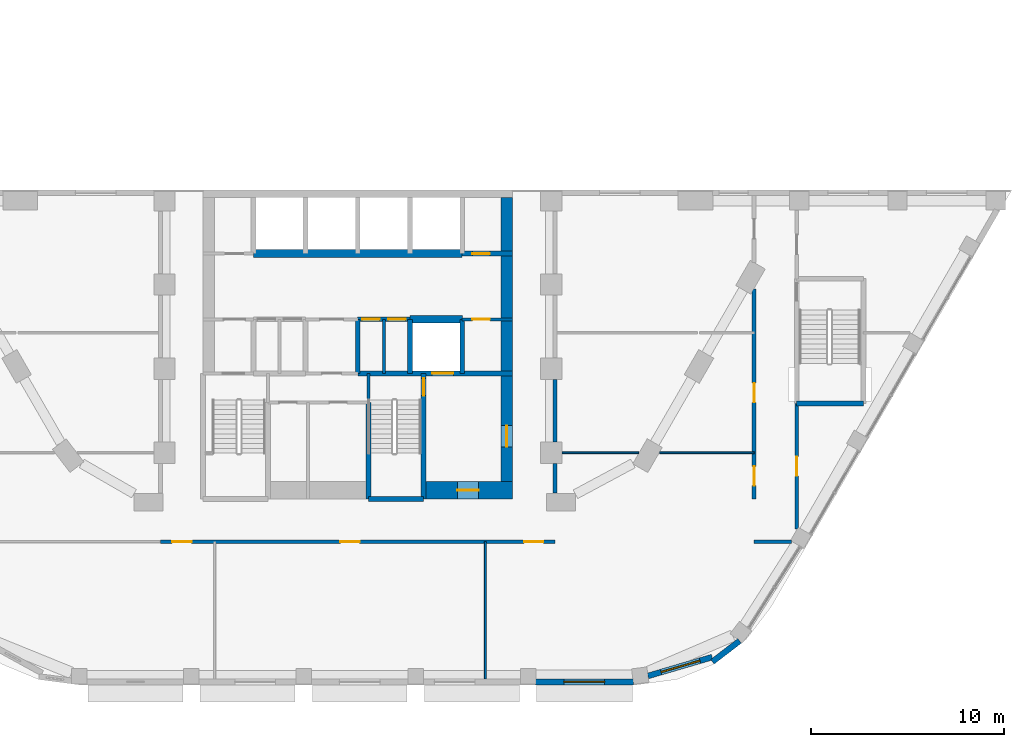
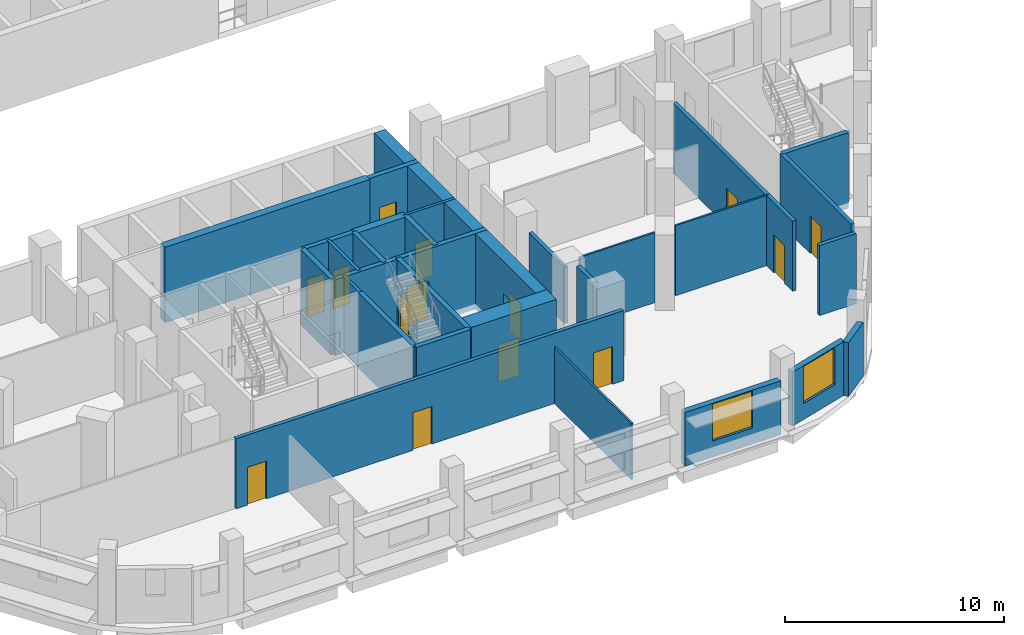
# One storey, part 15 of 45: 29 walls, 14 doors, 2 windows, 16 openings.
"""IFC4 building model written with IfcOpenShell, lengths in metres."""

import ifcopenshell
import ifcopenshell.guid

model = None  # the IFC model being written
_history = None  # IfcOwnerHistory: only IFC2X3 demands one
_inside = {}  # id of a spatial element -> (the spatial element, [elements in it])
_under = {}  # id of a project, library or spatial element -> (it, [spatial elements below it])
_declared = {}  # id of a project -> (the project, [libraries it declares])
_typed = {}  # id of a type object -> (the type object, [elements of that type])
_made_of = {}  # id of a material, layer set ... -> (it, [elements and type objects made of it])


def new_model(schema):
    """Start an empty IFC model of exactly this schema.

    Asked for "IFC4X3", IfcOpenShell would pick the latest addendum, in which some entities
    have other attributes; the version numbers below select the first issue.
    IFC2X3 requires an IfcOwnerHistory on every rooted entity: one is made here for all.
    """
    global model, _history
    if schema == "IFC4X3":
        model = ifcopenshell.file(schema_version=(4, 3, 0, 0))
    else:
        model = ifcopenshell.file(schema=schema)
    _inside.clear()
    _under.clear()
    _declared.clear()
    _typed.clear()
    _made_of.clear()
    _history = None
    if model.schema == "IFC2X3":
        org = make("IfcOrganization", Name="unknown")
        user = make(
            "IfcPersonAndOrganization",
            ThePerson=make("IfcPerson", FamilyName="unknown"),
            TheOrganization=org,
        )
        app = make(
            "IfcApplication",
            ApplicationDeveloper=org,
            Version="unknown",
            ApplicationFullName="unknown",
            ApplicationIdentifier="unknown",
        )
        _history = make(
            "IfcOwnerHistory",
            OwningUser=user,
            OwningApplication=app,
            ChangeAction="ADDED",
            CreationDate=0,
        )
    return model


def make(cls, **values):
    """One entity of the class cls with the attributes given. An attribute that is None is left unset."""
    return model.create_entity(
        cls, **{name: value for name, value in values.items() if value is not None}
    )


def rooted(cls, **values):
    """An entity with a GlobalId (a new one), such as an element, a storey or a relation."""
    return make(cls, GlobalId=ifcopenshell.guid.new(), OwnerHistory=_history, **values)


def si_unit(unit_type, name, prefix=None):
    """IfcSIUnit, for example si_unit("LENGTHUNIT", "METRE", prefix="MILLI")."""
    return make("IfcSIUnit", UnitType=unit_type, Prefix=prefix, Name=name)


def assignment(units):
    """IfcUnitAssignment: the units of a project."""
    return None if units is None else make("IfcUnitAssignment", Units=units)


def point(xyz):
    """IfcCartesianPoint."""
    return None if xyz is None else make("IfcCartesianPoint", Coordinates=xyz)


def direction(xyz):
    """IfcDirection."""
    return None if xyz is None else make("IfcDirection", DirectionRatios=xyz)


def frame(location, z_axis=None, x_axis=None):
    """IfcAxis2Placement3D, a coordinate frame: its origin and axes. An axis left out is left unset."""
    return make(
        "IfcAxis2Placement3D",
        Location=point(location),
        Axis=direction(z_axis),
        RefDirection=direction(x_axis),
    )


def frame_2d(location, x_axis=None):
    """IfcAxis2Placement2D, a coordinate frame in the plane: its origin and x axis."""
    return make(
        "IfcAxis2Placement2D", Location=point(location), RefDirection=direction(x_axis)
    )


def origin():
    """The frame at (0, 0, 0) with its axes left unset."""
    return frame((0.0, 0.0, 0.0))


def place(relative_to, where):
    """IfcLocalPlacement: puts the frame where relative to a parent placement (None: the world)."""
    return make(
        "IfcLocalPlacement", PlacementRelTo=relative_to, RelativePlacement=where
    )


def context(
    kind, dimensions, precision=None, world=None, true_north=None, identifier=None
):
    """IfcGeometricRepresentationContext, for example the 3D "Model" context."""
    return make(
        "IfcGeometricRepresentationContext",
        ContextIdentifier=identifier,
        ContextType=kind,
        CoordinateSpaceDimension=dimensions,
        Precision=precision,
        WorldCoordinateSystem=world,
        TrueNorth=true_north,
    )


def subcontext(parent, identifier, kind, view, scale=None):
    """IfcGeometricRepresentationSubContext, for example "Body" below "Model"."""
    return make(
        "IfcGeometricRepresentationSubContext",
        ContextIdentifier=identifier,
        ContextType=kind,
        ParentContext=parent,
        TargetScale=scale,
        TargetView=view,
    )


def project(units=None, contexts=None):
    """IfcProject with its units and contexts."""
    return rooted(
        "IfcProject",
        Name="project",
        RepresentationContexts=contexts,
        UnitsInContext=assignment(units),
    )


def spatial(cls, under=None, at=None, **own):
    """A site, building, storey or space (cls), placed at a placement, below another one or the project."""
    s = rooted(cls, ObjectPlacement=at, **own)
    if under is not None:
        _under.setdefault(under.id(), (under, []))[1].append(s)
    return s


def profile(cls, at=None, kind="AREA", **sizes):
    """A parametric profile (cls). Its sizes go by their IFC names, for example OverallWidth=200.0."""
    return make(cls, ProfileType=kind, Position=at, **sizes)


def rectangle(**sizes):
    """IfcRectangleProfileDef."""
    return profile("IfcRectangleProfileDef", **sizes)


def extrude(swept, where, along, depth):
    """IfcExtrudedAreaSolid: the profile swept, set in the frame where, extruded along a direction by depth."""
    return make(
        "IfcExtrudedAreaSolid",
        SweptArea=swept,
        Position=where,
        ExtrudedDirection=direction(along),
        Depth=depth,
    )


def shape(context_of_items, identifier, shape_type, items):
    """IfcShapeRepresentation: the items that make up one representation, for example the "Body"."""
    return make(
        "IfcShapeRepresentation",
        ContextOfItems=context_of_items,
        RepresentationIdentifier=identifier,
        RepresentationType=shape_type,
        Items=items,
    )


def material(Name=None, Category=None):
    """IfcMaterial."""
    return make("IfcMaterial", Name=Name, Category=Category)


def layer(
    of_material, thickness, ventilated=None, Name=None, Category=None, Priority=None
):
    """IfcMaterialLayer: one layer of a wall or slab, of a material (None: an air gap)."""
    return make(
        "IfcMaterialLayer",
        Material=of_material,
        LayerThickness=thickness,
        IsVentilated=ventilated,
        Name=Name,
        Category=Category,
        Priority=Priority,
    )


def layer_set(layers, Name=None):
    """IfcMaterialLayerSet."""
    return make("IfcMaterialLayerSet", MaterialLayers=layers, LayerSetName=Name)


def made_of(thing, what):
    """Note that an element or type object is made of a material, layer set ...; save() writes the relation."""
    if what is not None:
        _made_of.setdefault(what.id(), (what, []))[1].append(thing)
    return thing


def type_object(cls, material=None, **own):
    """A type object (cls), such as IfcWallType, which elements share."""
    return made_of(rooted(cls, **own), material)


def element(
    cls,
    number,
    at=None,
    inside=None,
    cuts=None,
    type_object=None,
    material=None,
    context=None,
    identifier="Body",
    shape_type=None,
    held_by="IfcProductDefinitionShape",
    body=None,
    shapes=None,
    **own,
):
    """One element of the class cls, such as IfcWall. Its Tag is "e" and its number.

    at: its placement. inside: the storey or other place that contains it. cuts: it is an
    opening in that element (IfcRelVoidsElement). A single representation is given by context,
    identifier, shape_type and body (its items); several are given by shapes. held_by: the class
    of the entity that holds the representations. save() writes the other relations.
    """
    e = rooted(cls, Tag="e%d" % number, ObjectPlacement=at, **own)
    if body is not None:
        shapes = [shape(context, identifier, shape_type, body)]
    if shapes is not None:
        e.Representation = make(held_by, Representations=shapes)
    if inside is not None:
        _inside.setdefault(inside.id(), (inside, []))[1].append(e)
    if cuts is not None:
        rooted(
            "IfcRelVoidsElement", RelatingBuildingElement=cuts, RelatedOpeningElement=e
        )
    if type_object is not None:
        _typed.setdefault(type_object.id(), (type_object, []))[1].append(e)
    return made_of(e, material)


def fill(opening, filler):
    """IfcRelFillsElement: the door or window that sits in an opening."""
    return rooted(
        "IfcRelFillsElement",
        RelatingOpeningElement=opening,
        RelatedBuildingElement=filler,
    )


def aggregate(whole, parts):
    """IfcRelAggregates: a whole, such as a stair, and the parts it consists of."""
    return rooted("IfcRelAggregates", RelatingObject=whole, RelatedObjects=parts)


def save(model, path):
    """Write the relations noted so far, then the file.

    IfcRelAggregates (storeys below a building ...), IfcRelContainedInSpatialStructure (elements
    in a storey), IfcRelDefinesByType, IfcRelAssociatesMaterial and IfcRelDeclares: one each for
    every whole, place, type object, material and project.
    """
    for whole, parts in _under.values():
        aggregate(whole, parts)
    for where, things in _inside.values():
        rooted(
            "IfcRelContainedInSpatialStructure",
            RelatedElements=things,
            RelatingStructure=where,
        )
    for kind, things in _typed.values():
        rooted("IfcRelDefinesByType", RelatedObjects=things, RelatingType=kind)
    for what, things in _made_of.values():
        rooted("IfcRelAssociatesMaterial", RelatedObjects=things, RelatingMaterial=what)
    for by, libraries in _declared.values():
        rooted("IfcRelDeclares", RelatingContext=by, RelatedDefinitions=libraries)
    model.write(path)


model = new_model("IFC4")

# Units and contexts
model_context = context("Model", 3, precision=1e-05, world=origin(), true_north=direction((0.0, 1.0)))
body_context = subcontext(model_context, "Body", "Model", "MODEL_VIEW")
ifc_project = project(units=[si_unit("LENGTHUNIT", "METRE"), si_unit("AREAUNIT", "SQUARE_METRE"), si_unit("VOLUMEUNIT", "CUBIC_METRE"), si_unit("PLANEANGLEUNIT", "RADIAN"), si_unit("MASSUNIT", "GRAM", prefix="KILO")], contexts=[model_context])

# Site, building, storey
site_placement = place(None, origin())
site = spatial("IfcSite", under=ifc_project, at=site_placement, CompositionType="ELEMENT")
building_placement = place(site_placement, origin())
building = spatial("IfcBuilding", under=site, at=building_placement, Name="Nakaniwa Court", CompositionType="ELEMENT")
storey_placement = place(building_placement, frame((0.0, 0.0, 11.39990234375)))
storey = spatial("IfcBuildingStorey", under=building, at=storey_placement, Name="L02", CompositionType="ELEMENT", Elevation=11.39990234375)

# Wall, opening, door
ifc_material_1 = material(Name="Acoustic double stud partition")
ifc_layer_1 = layer(ifc_material_1, 0.199951171875)
ifc_layer_set_1 = layer_set([ifc_layer_1], Name="Acoustic double stud partition")
wall_type_1 = type_object("IfcWallType", Name="Acoustic double stud partition 200", PredefinedType="PARTITIONING", material=ifc_layer_set_1)
wall_1_placement = place(storey_placement, frame((102.699951171875, 61.552978515625, 0.0), z_axis=(0.0, 0.0, 1.0), x_axis=(0.0, -1.0, 0.0)))
wall_1 = element("IfcWall", 1, at=wall_1_placement, inside=storey, type_object=wall_type_1, Name="Partition PW-081", PredefinedType="PARTITIONING", context=body_context, shape_type="SweptSolid", body=[
    extrude(rectangle(XDim=6.49853515625, YDim=0.199951171875, at=frame_2d((3.249267578125, 0.0))), origin(), (0.0, 0.0, 1.0), 3.900146484375),
])
opening_1_placement = place(wall_1_placement, frame((2.75, 0.0, 0.0)))
opening_1 = element("IfcOpeningElement", 2, at=opening_1_placement, cuts=wall_1, Name="Opening D-02-10", PredefinedType="OPENING", context=body_context, shape_type="SweptSolid", body=[
    extrude(rectangle(XDim=1.0, YDim=2.10009765625, at=frame_2d((0.5, 1.050048828125))), frame((0.0, 0.10986328125, 0.0), z_axis=(0.0, -1.0, 0.0), x_axis=(1.0, 0.0, 0.0)), (0.0, 0.0, 1.0), 0.219970703125),
])
ifc_material_2 = material(Name="Solid core timber door set, black veneer", Category="wood")
door_type_1 = type_object("IfcDoorType", Name="Internal door 1000", OperationType="NOTDEFINED", PredefinedType="DOOR", material=ifc_material_2)
door_1_placement = place(opening_1_placement, origin())
door_1 = element("IfcDoor", 3, at=door_1_placement, inside=storey, type_object=door_type_1, Name="Door D-02-10 L02-043", OperationType="SINGLE_SWING_RIGHT", OverallHeight=2.10009765625, OverallWidth=1.0, PredefinedType="DOOR", context=body_context, shape_type="SweptSolid", body=[
    extrude(rectangle(XDim=1.0, YDim=2.10009765625, at=frame_2d((0.5, 1.050048828125))), frame((0.0, 0.02490234375, 0.0), z_axis=(0.0, -1.0, 0.0), x_axis=(1.0, 0.0, 0.0)), (0.0, 0.0, 1.0), 0.050048828125),
])
fill(opening_1, door_1)

# Wall, openings, doors
wall_2_placement = place(storey_placement, frame((100.5, 56.596923828125, 0.0), z_axis=(0.0, 0.0, 1.0), x_axis=(0.0, 1.0, 0.0)))
wall_2 = element("IfcWall", 4, at=wall_2_placement, inside=storey, type_object=wall_type_1, Name="Partition PW-085", PredefinedType="PARTITIONING", context=body_context, shape_type="SweptSolid", body=[
    extrude(rectangle(XDim=10.873291015625, YDim=0.199951171875, at=frame_2d((5.4365234375, 0.0))), origin(), (0.0, 0.0, 1.0), 3.900146484375),
])
opening_2_placement = place(wall_2_placement, frame((5.0029296875, 0.0, 0.0)))
opening_2 = element("IfcOpeningElement", 5, at=opening_2_placement, cuts=wall_2, Name="Opening D-02-14", PredefinedType="OPENING", context=body_context, shape_type="SweptSolid", body=[
    extrude(rectangle(XDim=1.0, YDim=2.10009765625, at=frame_2d((0.5, 1.050048828125))), frame((0.0, 0.10986328125, 0.0), z_axis=(0.0, -1.0, 0.0), x_axis=(1.0, 0.0, 0.0)), (0.0, 0.0, 1.0), 0.219970703125),
])
opening_3_placement = place(wall_2_placement, frame((0.702880859375, 0.0, 0.0)))
opening_3 = element("IfcOpeningElement", 6, at=opening_3_placement, cuts=wall_2, Name="Opening D-02-15", PredefinedType="OPENING", context=body_context, shape_type="SweptSolid", body=[
    extrude(rectangle(XDim=1.0, YDim=2.10009765625, at=frame_2d((0.5, 1.050048828125))), frame((0.0, 0.10986328125, 0.0), z_axis=(0.0, -1.0, 0.0), x_axis=(1.0, 0.0, 0.0)), (0.0, 0.0, 1.0), 0.219970703125),
])
door_2_placement = place(opening_2_placement, origin())
door_2 = element("IfcDoor", 7, at=door_2_placement, inside=storey, type_object=door_type_1, Name="Door D-02-14 L02-047", OperationType="SINGLE_SWING_RIGHT", OverallHeight=2.10009765625, OverallWidth=1.0, PredefinedType="DOOR", context=body_context, shape_type="SweptSolid", body=[
    extrude(rectangle(XDim=1.0, YDim=2.10009765625, at=frame_2d((0.5, 1.050048828125))), frame((0.0, 0.02490234375, 0.0), z_axis=(0.0, -1.0, 0.0), x_axis=(1.0, 0.0, 0.0)), (0.0, 0.0, 1.0), 0.050048828125),
])
fill(opening_2, door_2)
door_3_placement = place(opening_3_placement, origin())
door_3 = element("IfcDoor", 8, at=door_3_placement, inside=storey, type_object=door_type_1, Name="Door D-02-15 L02-048", OperationType="SINGLE_SWING_LEFT", OverallHeight=2.10009765625, OverallWidth=1.0, PredefinedType="DOOR", context=body_context, shape_type="SweptSolid", body=[
    extrude(rectangle(XDim=1.0, YDim=2.10009765625, at=frame_2d((0.5, 1.050048828125))), frame((0.0, 0.02490234375, 0.0), z_axis=(0.0, -1.0, 0.0), x_axis=(1.0, 0.0, 0.0)), (0.0, 0.0, 1.0), 0.050048828125),
])
fill(opening_3, door_3)

# Walls
wall_3_placement = place(storey_placement, frame((90.199951171875, 56.9169921875, 0.0), z_axis=(0.0, 0.0, 1.0), x_axis=(0.0, 1.0, 0.0)))
element("IfcWall", 9, at=wall_3_placement, inside=storey, type_object=wall_type_1, Name="Partition PW-102", PredefinedType="PARTITIONING", context=body_context, shape_type="SweptSolid", body=[
    extrude(rectangle(XDim=1.51611328125, YDim=0.199951171875, at=frame_2d((0.758056640625, 0.0))), origin(), (0.0, 0.0, 1.0), 3.900146484375),
])
wall_4_placement = place(storey_placement, frame((90.199951171875, 59.56689453125, 0.0), z_axis=(0.0, 0.0, 1.0), x_axis=(0.0, 1.0, 0.0)))
element("IfcWall", 10, at=wall_4_placement, inside=storey, type_object=wall_type_1, Name="Partition PW-103", PredefinedType="PARTITIONING", context=body_context, shape_type="SweptSolid", body=[
    extrude(rectangle(XDim=3.216064453125, YDim=0.199951171875, at=frame_2d((1.60791015625, 0.0))), origin(), (0.0, 0.0, 1.0), 3.130126953125),
])

# Wall, openings, doors
wall_5_placement = place(storey_placement, frame((90.199951171875, 54.39990234375, 0.0), z_axis=(0.0, 0.0, 1.0), x_axis=(-1.0, 0.0, 0.0)))
wall_5 = element("IfcWall", 11, at=wall_5_placement, inside=storey, type_object=wall_type_1, Name="Partition PW-133", PredefinedType="PARTITIONING", context=body_context, shape_type="SweptSolid", body=[
    extrude(rectangle(XDim=20.39990234375, YDim=0.199951171875, at=frame_2d((10.199951171875, 0.0))), origin(), (0.0, 0.0, 1.0), 3.900146484375),
])
opening_4_placement = place(wall_5_placement, frame((18.800048828125, 0.0, 0.0)))
opening_4 = element("IfcOpeningElement", 12, at=opening_4_placement, cuts=wall_5, Name="Opening D-02-19", PredefinedType="OPENING", context=body_context, shape_type="SweptSolid", body=[
    extrude(rectangle(XDim=1.0, YDim=2.10009765625, at=frame_2d((0.5, 1.050048828125))), frame((0.0, 0.10986328125, 0.0), z_axis=(0.0, -1.0, 0.0), x_axis=(1.0, 0.0, 0.0)), (0.0, 0.0, 1.0), 0.219970703125),
])
opening_5_placement = place(wall_5_placement, frame((0.60009765625, 0.0, 0.0)))
opening_5 = element("IfcOpeningElement", 13, at=opening_5_placement, cuts=wall_5, Name="Opening D-02-20", PredefinedType="OPENING", context=body_context, shape_type="SweptSolid", body=[
    extrude(rectangle(XDim=1.0, YDim=2.10009765625, at=frame_2d((0.5, 1.050048828125))), frame((0.0, 0.10986328125, 0.0), z_axis=(0.0, -1.0, 0.0), x_axis=(1.0, 0.0, 0.0)), (0.0, 0.0, 1.0), 0.219970703125),
])
opening_6_placement = place(wall_5_placement, frame((10.10009765625, 0.0, 0.0)))
opening_6 = element("IfcOpeningElement", 14, at=opening_6_placement, cuts=wall_5, Name="Opening D-02-21", PredefinedType="OPENING", context=body_context, shape_type="SweptSolid", body=[
    extrude(rectangle(XDim=1.0, YDim=2.10009765625, at=frame_2d((0.5, 1.050048828125))), frame((0.0, 0.10986328125, 0.0), z_axis=(0.0, -1.0, 0.0), x_axis=(1.0, 0.0, 0.0)), (0.0, 0.0, 1.0), 0.219970703125),
])
door_4_placement = place(opening_4_placement, origin())
door_4 = element("IfcDoor", 15, at=door_4_placement, inside=storey, type_object=door_type_1, Name="Door D-02-19 L02-052", OperationType="SINGLE_SWING_LEFT", OverallHeight=2.10009765625, OverallWidth=1.0, PredefinedType="DOOR", context=body_context, shape_type="SweptSolid", body=[
    extrude(rectangle(XDim=1.0, YDim=2.10009765625, at=frame_2d((0.5, 1.050048828125))), frame((0.0, 0.02490234375, 0.0), z_axis=(0.0, -1.0, 0.0), x_axis=(1.0, 0.0, 0.0)), (0.0, 0.0, 1.0), 0.050048828125),
])
fill(opening_4, door_4)
door_5_placement = place(opening_5_placement, origin())
door_5 = element("IfcDoor", 16, at=door_5_placement, inside=storey, type_object=door_type_1, Name="Door D-02-20 L02-053", OperationType="SINGLE_SWING_RIGHT", OverallHeight=2.10009765625, OverallWidth=1.0, PredefinedType="DOOR", context=body_context, shape_type="SweptSolid", body=[
    extrude(rectangle(XDim=1.0, YDim=2.10009765625, at=frame_2d((0.5, 1.050048828125))), frame((0.0, 0.02490234375, 0.0), z_axis=(0.0, -1.0, 0.0), x_axis=(1.0, 0.0, 0.0)), (0.0, 0.0, 1.0), 0.050048828125),
])
fill(opening_5, door_5)
door_6_placement = place(opening_6_placement, origin())
door_6 = element("IfcDoor", 17, at=door_6_placement, inside=storey, type_object=door_type_1, Name="Door D-02-21 L02-054", OperationType="SINGLE_SWING_LEFT", OverallHeight=2.10009765625, OverallWidth=1.0, PredefinedType="DOOR", context=body_context, shape_type="SweptSolid", body=[
    extrude(rectangle(XDim=1.0, YDim=2.10009765625, at=frame_2d((0.5, 1.050048828125))), frame((0.0, 0.02490234375, 0.0), z_axis=(0.0, -1.0, 0.0), x_axis=(1.0, 0.0, 0.0)), (0.0, 0.0, 1.0), 0.050048828125),
])
fill(opening_6, door_6)

# Wall
wall_6_placement = place(storey_placement, frame((100.5, 54.39990234375, 0.0), z_axis=(0.0, 0.0, 1.0), x_axis=(1.0, 0.0, 0.0)))
element("IfcWall", 18, at=wall_6_placement, inside=storey, type_object=wall_type_1, Name="Partition PW-134", PredefinedType="PARTITIONING", context=body_context, shape_type="SweptSolid", body=[
    extrude(rectangle(XDim=1.93408203125, YDim=0.199951171875, at=frame_2d((0.967041015625, 0.0))), origin(), (0.0, 0.0, 1.0), 3.900146484375),
])

# Wall, opening, window
ifc_material_3 = material(Name="Charcoal ceramic cladding")
ifc_layer_2 = layer(ifc_material_3, 0.02, Name="Ceramic cladding")
ifc_material_4 = material(Name="Ventilated air cavity")
ifc_layer_3 = layer(ifc_material_4, 0.04, ventilated=True, Name="Ventilated cavity")
ifc_material_5 = material(Name="Mineral wool insulation")
ifc_layer_4 = layer(ifc_material_5, 0.1, Name="Insulation")
ifc_material_6 = material(Name="Cement bonded sheathing board")
ifc_layer_5 = layer(ifc_material_6, 0.012, Name="Sheathing")
ifc_material_7 = material(Name="Cold-formed galvanised stud frame with mineral wool infill")
ifc_layer_6 = layer(ifc_material_7, 0.1, Name="Stud frame")
ifc_material_8 = material(Name="Fire-rated gypsum plasterboard lining")
ifc_layer_7 = layer(ifc_material_8, 0.028, Name="Lining")
ifc_layer_set_2 = layer_set([ifc_layer_2, ifc_layer_3, ifc_layer_4, ifc_layer_5, ifc_layer_6, ifc_layer_7], Name="Charcoal ceramic faced external wall system")
wall_type_2 = type_object("IfcWallType", Name="Black ceramic faced external wall 300", PredefinedType="SOLIDWALL", material=ifc_layer_set_2)
wall_7_placement = place(storey_placement, frame((89.20068359375, 47.14990234375, 0.0), z_axis=(0.0, 0.0, 1.0), x_axis=(1.0, 0.0, 0.0)))
wall_7 = element("IfcWall", 19, at=wall_7_placement, inside=storey, type_object=wall_type_2, Name="L02 external wall 23", PredefinedType="SOLIDWALL", context=body_context, shape_type="SweptSolid", body=[
    extrude(rectangle(XDim=5.048095703125, YDim=0.300048828125, at=frame_2d((2.52392578125, 0.0))), origin(), (0.0, 0.0, 1.0), 3.0),
])
opening_7_placement = place(wall_7_placement, frame((1.462646484375, 0.0, 0.89990234375)))
opening_7 = element("IfcOpeningElement", 20, at=opening_7_placement, cuts=wall_7, Name="Opening W2.20", PredefinedType="OPENING", context=body_context, shape_type="SweptSolid", body=[
    extrude(rectangle(XDim=2.10009765625, YDim=2.050048828125, at=frame_2d((1.050048828125, 1.02490234375))), frame((0.0, 0.159912109375, 0.0), z_axis=(0.0, -1.0, 0.0), x_axis=(1.0, 0.0, 0.0)), (0.0, 0.0, 1.0), 0.320068359375),
])
ifc_material_9 = material(Name="Black anodised aluminium frame with dark low-E laminated double glazing", Category="aluminium")
window_type = type_object("IfcWindowType", Name="Dark glass window 2100x2050 sill 900", PartitioningType="SINGLE_PANEL", PredefinedType="WINDOW", material=ifc_material_9)
window_1_placement = place(opening_7_placement, origin())
window_1 = element("IfcWindow", 21, at=window_1_placement, inside=storey, type_object=window_type, Name="L02 habitable room window 23-0", OverallHeight=2.050048828125, OverallWidth=2.10009765625, PartitioningType="SINGLE_PANEL", PredefinedType="WINDOW", context=body_context, shape_type="SweptSolid", body=[
    extrude(rectangle(XDim=2.10009765625, YDim=2.050048828125, at=frame_2d((1.050048828125, 1.02490234375))), frame((0.0, 0.030029296875, 0.0), z_axis=(0.0, -1.0, 0.0), x_axis=(1.0, 0.0, 0.0)), (0.0, 0.0, 1.0), 0.06005859375),
])
fill(opening_7, window_1)

wall_8_placement = place(storey_placement, frame((95.00732421875, 47.45654296875, 0.0), z_axis=(0.0, 0.0, 1.0), x_axis=(0.959578633815, 0.281440660756, 0.0)))
wall_8 = element("IfcWall", 22, at=wall_8_placement, inside=storey, type_object=wall_type_2, Name="L02 external wall 24", PredefinedType="SOLIDWALL", context=body_context, shape_type="SweptSolid", body=[
    extrude(rectangle(XDim=3.461181640625, YDim=0.300048828125, at=frame_2d((1.73046875, 0.0))), origin(), (0.0, 0.0, 1.0), 3.0),
])
opening_8_placement = place(wall_8_placement, frame((0.705810546875, 0.0, 0.89990234375)))
opening_8 = element("IfcOpeningElement", 23, at=opening_8_placement, cuts=wall_8, Name="Opening W2.21", PredefinedType="OPENING", context=body_context, shape_type="SweptSolid", body=[
    extrude(rectangle(XDim=2.10009765625, YDim=2.050048828125, at=frame_2d((1.050048828125, 1.02490234375))), frame((0.0, 0.159912109375, 0.0), z_axis=(0.0, -1.0, 0.0), x_axis=(1.0, 0.0, 0.0)), (0.0, 0.0, 1.0), 0.320068359375),
])
window_2_placement = place(opening_8_placement, origin())
window_2 = element("IfcWindow", 24, at=window_2_placement, inside=storey, type_object=window_type, Name="L02 habitable room window 24-0", OverallHeight=2.050048828125, OverallWidth=2.10009765625, PartitioningType="SINGLE_PANEL", PredefinedType="WINDOW", context=body_context, shape_type="SweptSolid", body=[
    extrude(rectangle(XDim=2.10009765625, YDim=2.050048828125, at=frame_2d((1.050048828125, 1.02490234375))), frame((0.0, 0.030029296875, 0.0), z_axis=(0.0, -1.0, 0.0), x_axis=(1.0, 0.0, 0.0)), (0.0, 0.0, 1.0), 0.06005859375),
])
fill(opening_8, window_2)

# Wall
wall_9_placement = place(storey_placement, frame((98.342529296875, 48.19091796875, 0.0), z_axis=(0.0, 0.0, 1.0), x_axis=(0.793403972369, 0.608695438318, 0.0)))
element("IfcWall", 25, at=wall_9_placement, inside=storey, type_object=wall_type_2, Name="L02 external wall 25", PredefinedType="SOLIDWALL", context=body_context, shape_type="SweptSolid", body=[
    extrude(rectangle(XDim=1.76708984375, YDim=0.300048828125, at=frame_2d((0.883544921875, 0.0))), origin(), (0.0, 0.0, 1.0), 3.0),
])

# Wall, opening, door
ifc_material_10 = material(Name="Blockwork partition", Category="masonry")
ifc_layer_8 = layer(ifc_material_10, 0.14990234375)
ifc_layer_set_3 = layer_set([ifc_layer_8], Name="Blockwork partition")
wall_type_3 = type_object("IfcWallType", Name="Blockwork partition 150", PredefinedType="PARTITIONING", material=ifc_layer_set_3)
wall_10_placement = place(storey_placement, frame((88.0, 65.89990234375, 0.0), z_axis=(0.0, 0.0, 1.0), x_axis=(-1.0, 0.0, 0.0)))
wall_10 = element("IfcWall", 26, at=wall_10_placement, inside=storey, type_object=wall_type_3, Name="Partition PW-057", PredefinedType="PARTITIONING", context=body_context, shape_type="SweptSolid", body=[
    extrude(rectangle(XDim=2.60302734375, YDim=0.14990234375, at=frame_2d((1.301513671875, 0.0))), origin(), (0.0, 0.0, 1.0), 3.900146484375),
])
opening_9_placement = place(wall_10_placement, frame((1.175048828125, 0.0, 0.0)))
opening_9 = element("IfcOpeningElement", 27, at=opening_9_placement, cuts=wall_10, Name="Opening D-05-16", PredefinedType="OPENING", context=body_context, shape_type="SweptSolid", body=[
    extrude(rectangle(XDim=0.89990234375, YDim=2.10009765625, at=frame_2d((0.449951171875, 1.050048828125))), frame((0.0, 0.0849609375, 0.0), z_axis=(0.0, -1.0, 0.0), x_axis=(1.0, 0.0, 0.0)), (0.0, 0.0, 1.0), 0.169921875),
])
ifc_material_11 = material(Name="Fire rated steel door set", Category="steel")
door_type_2 = type_object("IfcDoorType", Name="Service room door 900", OperationType="NOTDEFINED", PredefinedType="DOOR", material=ifc_material_11)
door_7_placement = place(opening_9_placement, origin())
door_7 = element("IfcDoor", 28, at=door_7_placement, inside=storey, type_object=door_type_2, Name="Door D-05-16 L02-023", OperationType="SINGLE_SWING_RIGHT", OverallHeight=2.10009765625, OverallWidth=0.89990234375, PredefinedType="DOOR", context=body_context, shape_type="SweptSolid", body=[
    extrude(rectangle(XDim=0.89990234375, YDim=2.10009765625, at=frame_2d((0.449951171875, 1.050048828125))), frame((0.0, 0.02490234375, 0.0), z_axis=(0.0, -1.0, 0.0), x_axis=(1.0, 0.0, 0.0)), (0.0, 0.0, 1.0), 0.050048828125),
])
fill(opening_9, door_7)

# Wall
wall_11_placement = place(storey_placement, frame((81.35009765625, 63.10009765625, 0.0), z_axis=(0.0, 0.0, 1.0), x_axis=(0.0, 1.0, 0.0)))
element("IfcWall", 29, at=wall_11_placement, inside=storey, type_object=wall_type_3, Name="Partition PW-066", PredefinedType="PARTITIONING", context=body_context, shape_type="SweptSolid", body=[
    extrude(rectangle(XDim=2.7998046875, YDim=0.14990234375, at=frame_2d((1.39990234375, 0.0))), origin(), (0.0, 0.0, 1.0), 3.900146484375),
])

# Wall, opening, door
ifc_material_12 = material(Name="Concrete C100/115", Category="concrete")
ifc_layer_9 = layer(ifc_material_12, 0.60009765625)
ifc_layer_set_4 = layer_set([ifc_layer_9], Name="Concrete C100/115")
wall_type_4 = type_object("IfcWallType", Name="Concrete core side wall 600 C100", PredefinedType="SHEAR", material=ifc_layer_set_4)
wall_12_placement = place(storey_placement, frame((87.699951171875, 72.199951171875, -0.2998046875), z_axis=(0.0, 0.0, 1.0), x_axis=(0.0, -1.0, 0.0)))
wall_12 = element("IfcWall", 30, at=wall_12_placement, inside=storey, type_object=wall_type_4, Name="Core wall SW-54", PredefinedType="SHEAR", context=body_context, shape_type="SweptSolid", body=[
    extrude(rectangle(XDim=15.599853515625, YDim=0.60009765625, at=frame_2d((7.7998046875, 0.0))), origin(), (0.0, 0.0, 1.0), 4.199951171875),
])
opening_10_placement = place(wall_12_placement, frame((11.800048828125, 0.0, 0.300048828125)))
opening_10 = element("IfcOpeningElement", 31, at=opening_10_placement, cuts=wall_12, Name="Opening D-10-03", PredefinedType="OPENING", context=body_context, shape_type="SweptSolid", body=[
    extrude(rectangle(XDim=1.10009765625, YDim=2.10009765625, at=frame_2d((0.550048828125, 1.050048828125))), frame((0.0, 0.31005859375, 0.0), z_axis=(0.0, -1.0, 0.0), x_axis=(1.0, 0.0, 0.0)), (0.0, 0.0, 1.0), 0.6201171875),
])
door_type_3 = type_object("IfcDoorType", Name="Firefighting lobby door 1100", OperationType="NOTDEFINED", PredefinedType="DOOR", material=ifc_material_11)
door_8_placement = place(opening_10_placement, origin())
door_8 = element("IfcDoor", 32, at=door_8_placement, inside=storey, type_object=door_type_3, Name="Door D-10-03 L02-057", OperationType="SINGLE_SWING_RIGHT", OverallHeight=2.10009765625, OverallWidth=1.10009765625, PredefinedType="DOOR", context=body_context, shape_type="SweptSolid", body=[
    extrude(rectangle(XDim=1.10009765625, YDim=2.10009765625, at=frame_2d((0.550048828125, 1.050048828125))), frame((0.0, 0.02490234375, 0.0), z_axis=(0.0, -1.0, 0.0), x_axis=(1.0, 0.0, 0.0)), (0.0, 0.0, 1.0), 0.050048828125),
])
fill(opening_10, door_8)

# Walls
ifc_layer_10 = layer(ifc_material_12, 0.39990234375)
ifc_layer_set_5 = layer_set([ifc_layer_10], Name="Concrete C100/115")
wall_type_5 = type_object("IfcWallType", Name="Concrete core spine wall 400 C100", PredefinedType="SHEAR", material=ifc_layer_set_5)
wall_13_placement = place(storey_placement, frame((74.60009765625, 69.300048828125, -0.2998046875), z_axis=(0.0, 0.0, 1.0), x_axis=(1.0, 0.0, 0.0)))
element("IfcWall", 33, at=wall_13_placement, inside=storey, type_object=wall_type_5, Name="Core wall SW-46", PredefinedType="SHEAR", context=body_context, shape_type="SweptSolid", body=[
    extrude(rectangle(XDim=10.7998046875, YDim=0.39990234375, at=frame_2d((5.39990234375, 0.0))), origin(), (0.0, 0.0, 1.0), 4.199951171875),
])
wall_14_placement = place(storey_placement, frame((82.697021484375, 65.89990234375, -0.2998046875), z_axis=(0.0, 0.0, 1.0), x_axis=(1.0, 0.0, 0.0)))
element("IfcWall", 34, at=wall_14_placement, inside=storey, type_object=wall_type_5, Name="Core wall SW-60", PredefinedType="SHEAR", context=body_context, shape_type="SweptSolid", body=[
    extrude(rectangle(XDim=2.7060546875, YDim=0.39990234375, at=frame_2d((1.35302734375, 0.0))), origin(), (0.0, 0.0, 1.0), 4.199951171875),
])
ifc_layer_11 = layer(ifc_material_12, 0.14990234375)
ifc_layer_set_6 = layer_set([ifc_layer_11], Name="Concrete C100/115")
wall_type_6 = type_object("IfcWallType", Name="Concrete core wall 150 C100", PredefinedType="SHEAR", material=ifc_layer_set_6)
wall_15_placement = place(storey_placement, frame((80.550048828125, 61.596923828125, -0.2998046875), z_axis=(0.0, 0.0, 1.0), x_axis=(0.0, 1.0, 0.0)))
element("IfcWall", 35, at=wall_15_placement, inside=storey, type_object=wall_type_6, Name="Core wall SW-73", PredefinedType="SHEAR", context=body_context, shape_type="SweptSolid", body=[
    extrude(rectangle(XDim=1.503173828125, YDim=0.14990234375, at=frame_2d((0.75146484375, 0.0))), origin(), (0.0, 0.0, 1.0), 4.199951171875),
])
ifc_layer_12 = layer(ifc_material_12, 0.25)
ifc_layer_set_7 = layer_set([ifc_layer_12], Name="Concrete C100/115")
wall_type_7 = type_object("IfcWallType", Name="Concrete core wall 250 C100", PredefinedType="SHEAR", material=ifc_layer_set_7)
wall_16_placement = place(storey_placement, frame((80.550048828125, 56.60009765625, -0.2998046875), z_axis=(0.0, 0.0, 1.0), x_axis=(1.0, 0.0, 0.0)))
element("IfcWall", 36, at=wall_16_placement, inside=storey, type_object=wall_type_7, Name="Core wall SW-71", PredefinedType="SHEAR", context=body_context, shape_type="SweptSolid", body=[
    extrude(rectangle(XDim=2.849853515625, YDim=0.25, at=frame_2d((1.4248046875, 0.0))), origin(), (0.0, 0.0, 1.0), 4.199951171875),
])
wall_17_placement = place(storey_placement, frame((102.699951171875, 61.550048828125, -0.2998046875), z_axis=(0.0, 0.0, 1.0), x_axis=(1.0, 0.0, 0.0)))
element("IfcWall", 37, at=wall_17_placement, inside=storey, type_object=wall_type_7, Name="Core wall SW-138", PredefinedType="SHEAR", context=body_context, shape_type="SweptSolid", body=[
    extrude(rectangle(XDim=3.449951171875, YDim=0.25, at=frame_2d((1.72509765625, 0.0))), origin(), (0.0, 0.0, 1.0), 4.199951171875),
])

# Wall, opening, door
ifc_layer_13 = layer(ifc_material_12, 0.89990234375)
ifc_layer_set_8 = layer_set([ifc_layer_13], Name="Concrete C100/115")
wall_type_8 = type_object("IfcWallType", Name="Concrete core wall 900 C100", PredefinedType="SHEAR", material=ifc_layer_set_8)
wall_18_placement = place(storey_placement, frame((88.0, 57.050048828125, -0.2998046875), z_axis=(0.0, 0.0, 1.0), x_axis=(-1.0, 0.0, 0.0)))
wall_18 = element("IfcWall", 38, at=wall_18_placement, inside=storey, type_object=wall_type_8, Name="Core wall SW-76", PredefinedType="SHEAR", context=body_context, shape_type="SweptSolid", body=[
    extrude(rectangle(XDim=4.60009765625, YDim=0.89990234375, at=frame_2d((2.300048828125, 0.0))), origin(), (0.0, 0.0, 1.0), 4.199951171875),
])
opening_11_placement = place(wall_18_placement, frame((1.751953125, 0.0, 0.300048828125)))
opening_11 = element("IfcOpeningElement", 39, at=opening_11_placement, cuts=wall_18, Name="Opening D-10-04", PredefinedType="OPENING", context=body_context, shape_type="SweptSolid", body=[
    extrude(rectangle(XDim=1.10009765625, YDim=2.10009765625, at=frame_2d((0.550048828125, 1.050048828125))), frame((0.0, 0.4599609375, 0.0), z_axis=(0.0, -1.0, 0.0), x_axis=(1.0, 0.0, 0.0)), (0.0, 0.0, 1.0), 0.919921875),
])
door_9_placement = place(opening_11_placement, origin())
door_9 = element("IfcDoor", 40, at=door_9_placement, inside=storey, type_object=door_type_3, Name="Door D-10-04 L02-058", OperationType="SINGLE_SWING_LEFT", OverallHeight=2.10009765625, OverallWidth=1.10009765625, PredefinedType="DOOR", context=body_context, shape_type="SweptSolid", body=[
    extrude(rectangle(XDim=1.10009765625, YDim=2.10009765625, at=frame_2d((0.550048828125, 1.050048828125))), frame((0.0, 0.02490234375, 0.0), z_axis=(0.0, -1.0, 0.0), x_axis=(1.0, 0.0, 0.0)), (0.0, 0.0, 1.0), 0.050048828125),
])
fill(opening_11, door_9)

# Walls
ifc_layer_14 = layer(ifc_material_12, 0.25)
ifc_layer_set_9 = layer_set([ifc_layer_14], Name="Concrete C100/115")
wall_type_9 = type_object("IfcWallType", Name="Concrete shaft wall 250 C100", PredefinedType="SHEAR", material=ifc_layer_set_9)
for number, where, z_axis, x_axis, name in (
    (41, (80.0, 63.10009765625, -0.2998046875), (0.0, 0.0, 1.0), (0.0, 1.0, 0.0), "Core wall SW-47"),
    (42, (82.699951171875, 63.10009765625, -0.2998046875), (0.0, 0.0, 1.0), (0.0, 1.0, 0.0), "Core wall SW-49"),
    (43, (85.39990234375, 63.10009765625, -0.2998046875), (0.0, 0.0, 1.0), (0.0, 1.0, 0.0), "Core wall SW-51"),
):
    element("IfcWall", number, at=place(storey_placement, frame(where, z_axis=z_axis, x_axis=x_axis)), inside=storey, type_object=wall_type_9, Name=name, PredefinedType="SHEAR", context=body_context, shape_type="SweptSolid", body=[
        extrude(rectangle(XDim=2.7998046875, YDim=0.25, at=frame_2d((1.39990234375, 0.0))), origin(), (0.0, 0.0, 1.0), 4.199951171875),
    ])

# Wall, opening, door
wall_19_placement = place(storey_placement, frame((85.39990234375, 69.300048828125, -0.2998046875), z_axis=(0.0, 0.0, 1.0), x_axis=(1.0, 0.0, 0.0)))
wall_19 = element("IfcWall", 44, at=wall_19_placement, inside=storey, type_object=wall_type_9, Name="Core wall SW-53", PredefinedType="SHEAR", context=body_context, shape_type="SweptSolid", body=[
    extrude(rectangle(XDim=2.60009765625, YDim=0.25, at=frame_2d((1.300048828125, 0.0))), origin(), (0.0, 0.0, 1.0), 4.199951171875),
])
opening_12_placement = place(wall_19_placement, frame((0.52490234375, 0.0, 0.300048828125)))
opening_12 = element("IfcOpeningElement", 45, at=opening_12_placement, cuts=wall_19, Name="Opening D-05-11", PredefinedType="OPENING", context=body_context, shape_type="SweptSolid", body=[
    extrude(rectangle(XDim=0.89990234375, YDim=2.10009765625, at=frame_2d((0.449951171875, 1.050048828125))), frame((0.0, 0.135009765625, 0.0), z_axis=(0.0, -1.0, 0.0), x_axis=(1.0, 0.0, 0.0)), (0.0, 0.0, 1.0), 0.27001953125),
])
door_10_placement = place(opening_12_placement, origin())
door_10 = element("IfcDoor", 46, at=door_10_placement, inside=storey, type_object=door_type_2, Name="Door D-05-11 L02-016", OperationType="SINGLE_SWING_LEFT", OverallHeight=2.10009765625, OverallWidth=0.89990234375, PredefinedType="DOOR", context=body_context, shape_type="SweptSolid", body=[
    extrude(rectangle(XDim=0.89990234375, YDim=2.10009765625, at=frame_2d((0.449951171875, 1.050048828125))), frame((0.0, 0.02490234375, 0.0), z_axis=(0.0, -1.0, 0.0), x_axis=(1.0, 0.0, 0.0)), (0.0, 0.0, 1.0), 0.050048828125),
])
fill(opening_12, door_10)

# Wall, openings, doors
wall_20_placement = place(storey_placement, frame((82.702880859375, 65.89990234375, -0.2998046875), z_axis=(0.0, 0.0, 1.0), x_axis=(-1.0, 0.0, 0.0)))
wall_20 = element("IfcWall", 47, at=wall_20_placement, inside=storey, type_object=wall_type_9, Name="Core wall SW-59", PredefinedType="SHEAR", context=body_context, shape_type="SweptSolid", body=[
    extrude(rectangle(XDim=2.705810546875, YDim=0.25, at=frame_2d((1.35302734375, 0.0))), origin(), (0.0, 0.0, 1.0), 4.199951171875),
])
opening_13_placement = place(wall_20_placement, frame((1.577880859375, 0.0, 0.300048828125)))
opening_13 = element("IfcOpeningElement", 48, at=opening_13_placement, cuts=wall_20, Name="Opening D-05-14", PredefinedType="OPENING", context=body_context, shape_type="SweptSolid", body=[
    extrude(rectangle(XDim=0.89990234375, YDim=2.10009765625, at=frame_2d((0.449951171875, 1.050048828125))), frame((0.0, 0.135009765625, 0.0), z_axis=(0.0, -1.0, 0.0), x_axis=(1.0, 0.0, 0.0)), (0.0, 0.0, 1.0), 0.27001953125),
])
opening_14_placement = place(wall_20_placement, frame((0.22802734375, 0.0, 0.300048828125)))
opening_14 = element("IfcOpeningElement", 49, at=opening_14_placement, cuts=wall_20, Name="Opening D-05-15", PredefinedType="OPENING", context=body_context, shape_type="SweptSolid", body=[
    extrude(rectangle(XDim=0.89990234375, YDim=2.10009765625, at=frame_2d((0.449951171875, 1.050048828125))), frame((0.0, 0.135009765625, 0.0), z_axis=(0.0, -1.0, 0.0), x_axis=(1.0, 0.0, 0.0)), (0.0, 0.0, 1.0), 0.27001953125),
])
door_11_placement = place(opening_13_placement, origin())
door_11 = element("IfcDoor", 50, at=door_11_placement, inside=storey, type_object=door_type_2, Name="Door D-05-14 L02-021", OperationType="SINGLE_SWING_RIGHT", OverallHeight=2.10009765625, OverallWidth=0.89990234375, PredefinedType="DOOR", context=body_context, shape_type="SweptSolid", body=[
    extrude(rectangle(XDim=0.89990234375, YDim=2.10009765625, at=frame_2d((0.449951171875, 1.050048828125))), frame((0.0, 0.02490234375, 0.0), z_axis=(0.0, -1.0, 0.0), x_axis=(1.0, 0.0, 0.0)), (0.0, 0.0, 1.0), 0.050048828125),
])
fill(opening_13, door_11)
door_12_placement = place(opening_14_placement, origin())
door_12 = element("IfcDoor", 51, at=door_12_placement, inside=storey, type_object=door_type_2, Name="Door D-05-15 L02-022", OperationType="SINGLE_SWING_LEFT", OverallHeight=2.10009765625, OverallWidth=0.89990234375, PredefinedType="DOOR", context=body_context, shape_type="SweptSolid", body=[
    extrude(rectangle(XDim=0.89990234375, YDim=2.10009765625, at=frame_2d((0.449951171875, 1.050048828125))), frame((0.0, 0.02490234375, 0.0), z_axis=(0.0, -1.0, 0.0), x_axis=(1.0, 0.0, 0.0)), (0.0, 0.0, 1.0), 0.050048828125),
])
fill(opening_14, door_12)

# Wall, opening, door
wall_21_placement = place(storey_placement, frame((80.0, 63.10009765625, -0.2998046875), z_axis=(0.0, 0.0, 1.0), x_axis=(1.0, 0.0, 0.0)))
wall_21 = element("IfcWall", 52, at=wall_21_placement, inside=storey, type_object=wall_type_9, Name="Core wall SW-64", PredefinedType="SHEAR", context=body_context, shape_type="SweptSolid", body=[
    extrude(rectangle(XDim=8.0, YDim=0.25, at=frame_2d((4.0, 0.0))), origin(), (0.0, 0.0, 1.0), 4.199951171875),
])
opening_15_placement = place(wall_21_placement, frame((3.84912109375, 0.0, 0.300048828125)))
opening_15 = element("IfcOpeningElement", 53, at=opening_15_placement, cuts=wall_21, Name="Opening LD02", PredefinedType="OPENING", context=body_context, shape_type="SweptSolid", body=[
    extrude(rectangle(XDim=1.10009765625, YDim=2.10009765625, at=frame_2d((0.550048828125, 1.050048828125))), frame((0.0, 0.135009765625, 0.0), z_axis=(0.0, -1.0, 0.0), x_axis=(1.0, 0.0, 0.0)), (0.0, 0.0, 1.0), 0.27001953125),
])
ifc_material_13 = material(Name="Stainless steel sliding lift landing door", Category="steel")
door_type_4 = type_object("IfcDoorType", Name="Lift landing door 1100", OperationType="NOTDEFINED", PredefinedType="DOOR", material=ifc_material_13)
door_13_placement = place(opening_15_placement, origin())
door_13 = element("IfcDoor", 54, at=door_13_placement, inside=storey, type_object=door_type_4, Name="Lift landing door LD02 L02-002", OperationType="SLIDING_TO_LEFT", OverallHeight=2.10009765625, OverallWidth=1.10009765625, PredefinedType="DOOR", context=body_context, shape_type="SweptSolid", body=[
    extrude(rectangle(XDim=1.10009765625, YDim=2.10009765625, at=frame_2d((0.550048828125, 1.050048828125))), frame((0.0, 0.02490234375, 0.0), z_axis=(0.0, -1.0, 0.0), x_axis=(1.0, 0.0, 0.0)), (0.0, 0.0, 1.0), 0.050048828125),
])
fill(opening_15, door_13)

wall_22_placement = place(storey_placement, frame((83.39990234375, 63.10009765625, -0.2998046875), z_axis=(0.0, 0.0, 1.0), x_axis=(0.0, -1.0, 0.0)))
wall_22 = element("IfcWall", 55, at=wall_22_placement, inside=storey, type_object=wall_type_9, Name="Core wall SW-72", PredefinedType="SHEAR", context=body_context, shape_type="SweptSolid", body=[
    extrude(rectangle(XDim=6.5, YDim=0.25, at=frame_2d((3.25, 0.0))), origin(), (0.0, 0.0, 1.0), 4.199951171875),
])
opening_16_placement = place(wall_22_placement, frame((0.25, 0.0, 0.300048828125)))
opening_16 = element("IfcOpeningElement", 56, at=opening_16_placement, cuts=wall_22, Name="Opening D-11-02", PredefinedType="OPENING", context=body_context, shape_type="SweptSolid", body=[
    extrude(rectangle(XDim=0.89990234375, YDim=2.10009765625, at=frame_2d((0.449951171875, 1.050048828125))), frame((0.0, 0.135009765625, 0.0), z_axis=(0.0, -1.0, 0.0), x_axis=(1.0, 0.0, 0.0)), (0.0, 0.0, 1.0), 0.27001953125),
])
door_type_5 = type_object("IfcDoorType", Name="Stair door 900", OperationType="NOTDEFINED", PredefinedType="DOOR", material=ifc_material_11)
door_14_placement = place(opening_16_placement, origin())
door_14 = element("IfcDoor", 57, at=door_14_placement, inside=storey, type_object=door_type_5, Name="Door D-11-02 L02-028", OperationType="SINGLE_SWING_RIGHT", OverallHeight=2.10009765625, OverallWidth=0.89990234375, PredefinedType="DOOR", context=body_context, shape_type="SweptSolid", body=[
    extrude(rectangle(XDim=0.89990234375, YDim=2.10009765625, at=frame_2d((0.449951171875, 1.050048828125))), frame((0.0, 0.02490234375, 0.0), z_axis=(0.0, -1.0, 0.0), x_axis=(1.0, 0.0, 0.0)), (0.0, 0.0, 1.0), 0.050048828125),
])
fill(opening_16, door_14)

# Walls
wall_23_placement = place(storey_placement, frame((80.550048828125, 56.60009765625, -0.2998046875), z_axis=(0.0, 0.0, 1.0), x_axis=(0.0, 1.0, 0.0)))
element("IfcWall", 58, at=wall_23_placement, inside=storey, type_object=wall_type_9, Name="Core wall SW-74", PredefinedType="SHEAR", context=body_context, shape_type="SweptSolid", body=[
    extrude(rectangle(XDim=5.0029296875, YDim=0.25, at=frame_2d((2.50146484375, 0.0))), origin(), (0.0, 0.0, 1.0), 4.199951171875),
])
ifc_material_14 = material(Name="Single stud plasterboard partition")
ifc_layer_15 = layer(ifc_material_14, 0.10009765625)
ifc_layer_set_10 = layer_set([ifc_layer_15], Name="Single stud plasterboard partition")
wall_type_10 = type_object("IfcWallType", Name="Single stud plasterboard partition 100", PredefinedType="PARTITIONING", material=ifc_layer_set_10)
wall_24_placement = place(storey_placement, frame((90.570068359375, 59.0, 0.0), z_axis=(0.0, 0.0, 1.0), x_axis=(1.0, 0.0, 0.0)))
element("IfcWall", 59, at=wall_24_placement, inside=storey, type_object=wall_type_10, Name="Partition PW-147", PredefinedType="PARTITIONING", context=body_context, shape_type="SweptSolid", body=[
    extrude(rectangle(XDim=3.9560546875, YDim=0.10009765625, at=frame_2d((1.97802734375, 0.0))), origin(), (0.0, 0.0, 1.0), 3.900146484375),
])
wall_25_placement = place(storey_placement, frame((95.611572265625, 59.0, 0.0), z_axis=(0.0, 0.0, 1.0), x_axis=(1.0, 0.0, 0.0)))
element("IfcWall", 60, at=wall_25_placement, inside=storey, type_object=wall_type_10, Name="Partition PW-148", PredefinedType="PARTITIONING", context=body_context, shape_type="SweptSolid", body=[
    extrude(rectangle(XDim=4.888427734375, YDim=0.10009765625, at=frame_2d((2.4443359375, 0.0))), origin(), (0.0, 0.0, 1.0), 3.900146484375),
])
wall_26_placement = place(storey_placement, frame((86.60009765625, 47.300048828125, 0.0), z_axis=(0.0, 0.0, 1.0), x_axis=(0.0, 1.0, 0.0)))
element("IfcWall", 61, at=wall_26_placement, inside=storey, type_object=wall_type_10, Name="Partition PW-150", PredefinedType="PARTITIONING", context=body_context, shape_type="SweptSolid", body=[
    extrude(rectangle(XDim=7.099853515625, YDim=0.10009765625, at=frame_2d((3.5498046875, 0.0))), origin(), (0.0, 0.0, 1.0), 3.130126953125),
])

save(model, "model.ifc")
